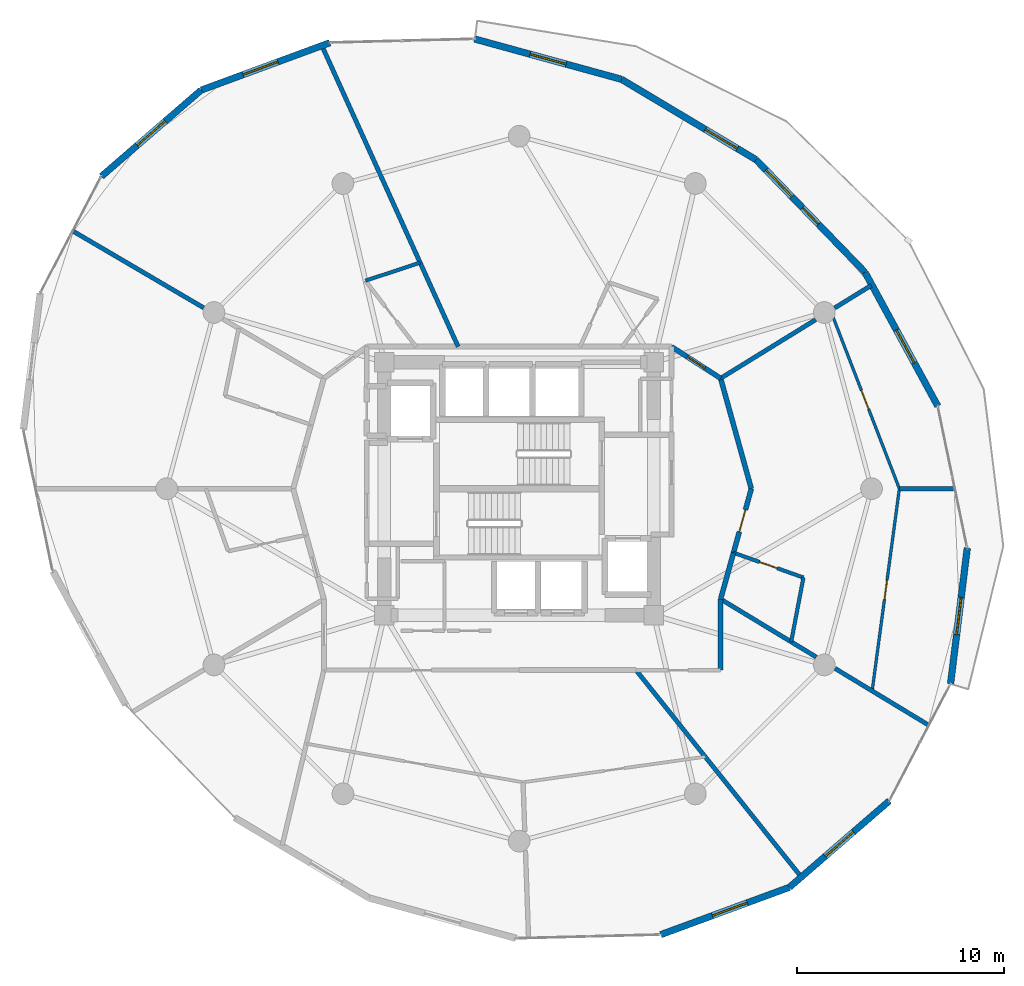
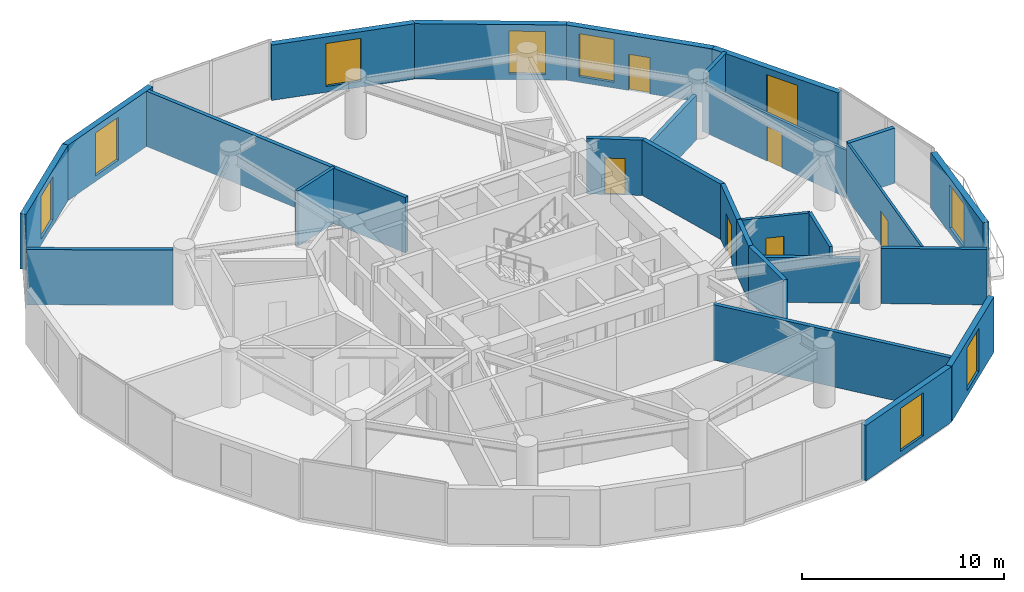
# One storey, part 22 of 25: 27 walls, 9 windows, 6 doors, 15 openings.
"""IFC4 building model written with IfcOpenShell, lengths in metres."""

import ifcopenshell
import ifcopenshell.guid

model = None  # the IFC model being written
_history = None  # IfcOwnerHistory: only IFC2X3 demands one
_inside = {}  # id of a spatial element -> (the spatial element, [elements in it])
_under = {}  # id of a project, library or spatial element -> (it, [spatial elements below it])
_declared = {}  # id of a project -> (the project, [libraries it declares])
_typed = {}  # id of a type object -> (the type object, [elements of that type])
_made_of = {}  # id of a material, layer set ... -> (it, [elements and type objects made of it])


def new_model(schema):
    """Start an empty IFC model of exactly this schema.

    Asked for "IFC4X3", IfcOpenShell would pick the latest addendum, in which some entities
    have other attributes; the version numbers below select the first issue.
    IFC2X3 requires an IfcOwnerHistory on every rooted entity: one is made here for all.
    """
    global model, _history
    if schema == "IFC4X3":
        model = ifcopenshell.file(schema_version=(4, 3, 0, 0))
    else:
        model = ifcopenshell.file(schema=schema)
    _inside.clear()
    _under.clear()
    _declared.clear()
    _typed.clear()
    _made_of.clear()
    _history = None
    if model.schema == "IFC2X3":
        org = make("IfcOrganization", Name="unknown")
        user = make(
            "IfcPersonAndOrganization",
            ThePerson=make("IfcPerson", FamilyName="unknown"),
            TheOrganization=org,
        )
        app = make(
            "IfcApplication",
            ApplicationDeveloper=org,
            Version="unknown",
            ApplicationFullName="unknown",
            ApplicationIdentifier="unknown",
        )
        _history = make(
            "IfcOwnerHistory",
            OwningUser=user,
            OwningApplication=app,
            ChangeAction="ADDED",
            CreationDate=0,
        )
    return model


def make(cls, **values):
    """One entity of the class cls with the attributes given. An attribute that is None is left unset."""
    return model.create_entity(
        cls, **{name: value for name, value in values.items() if value is not None}
    )


def rooted(cls, **values):
    """An entity with a GlobalId (a new one), such as an element, a storey or a relation."""
    return make(cls, GlobalId=ifcopenshell.guid.new(), OwnerHistory=_history, **values)


def si_unit(unit_type, name, prefix=None):
    """IfcSIUnit, for example si_unit("LENGTHUNIT", "METRE", prefix="MILLI")."""
    return make("IfcSIUnit", UnitType=unit_type, Prefix=prefix, Name=name)


def assignment(units):
    """IfcUnitAssignment: the units of a project."""
    return None if units is None else make("IfcUnitAssignment", Units=units)


def point(xyz):
    """IfcCartesianPoint."""
    return None if xyz is None else make("IfcCartesianPoint", Coordinates=xyz)


def direction(xyz):
    """IfcDirection."""
    return None if xyz is None else make("IfcDirection", DirectionRatios=xyz)


def frame(location, z_axis=None, x_axis=None):
    """IfcAxis2Placement3D, a coordinate frame: its origin and axes. An axis left out is left unset."""
    return make(
        "IfcAxis2Placement3D",
        Location=point(location),
        Axis=direction(z_axis),
        RefDirection=direction(x_axis),
    )


def frame_2d(location, x_axis=None):
    """IfcAxis2Placement2D, a coordinate frame in the plane: its origin and x axis."""
    return make(
        "IfcAxis2Placement2D", Location=point(location), RefDirection=direction(x_axis)
    )


def origin():
    """The frame at (0, 0, 0) with its axes left unset."""
    return frame((0.0, 0.0, 0.0))


def place(relative_to, where):
    """IfcLocalPlacement: puts the frame where relative to a parent placement (None: the world)."""
    return make(
        "IfcLocalPlacement", PlacementRelTo=relative_to, RelativePlacement=where
    )


def context(
    kind, dimensions, precision=None, world=None, true_north=None, identifier=None
):
    """IfcGeometricRepresentationContext, for example the 3D "Model" context."""
    return make(
        "IfcGeometricRepresentationContext",
        ContextIdentifier=identifier,
        ContextType=kind,
        CoordinateSpaceDimension=dimensions,
        Precision=precision,
        WorldCoordinateSystem=world,
        TrueNorth=true_north,
    )


def subcontext(parent, identifier, kind, view, scale=None):
    """IfcGeometricRepresentationSubContext, for example "Body" below "Model"."""
    return make(
        "IfcGeometricRepresentationSubContext",
        ContextIdentifier=identifier,
        ContextType=kind,
        ParentContext=parent,
        TargetScale=scale,
        TargetView=view,
    )


def project(units=None, contexts=None):
    """IfcProject with its units and contexts."""
    return rooted(
        "IfcProject",
        Name="project",
        RepresentationContexts=contexts,
        UnitsInContext=assignment(units),
    )


def spatial(cls, under=None, at=None, **own):
    """A site, building, storey or space (cls), placed at a placement, below another one or the project."""
    s = rooted(cls, ObjectPlacement=at, **own)
    if under is not None:
        _under.setdefault(under.id(), (under, []))[1].append(s)
    return s


def profile(cls, at=None, kind="AREA", **sizes):
    """A parametric profile (cls). Its sizes go by their IFC names, for example OverallWidth=200.0."""
    return make(cls, ProfileType=kind, Position=at, **sizes)


def rectangle(**sizes):
    """IfcRectangleProfileDef."""
    return profile("IfcRectangleProfileDef", **sizes)


def extrude(swept, where, along, depth):
    """IfcExtrudedAreaSolid: the profile swept, set in the frame where, extruded along a direction by depth."""
    return make(
        "IfcExtrudedAreaSolid",
        SweptArea=swept,
        Position=where,
        ExtrudedDirection=direction(along),
        Depth=depth,
    )


def shape(context_of_items, identifier, shape_type, items):
    """IfcShapeRepresentation: the items that make up one representation, for example the "Body"."""
    return make(
        "IfcShapeRepresentation",
        ContextOfItems=context_of_items,
        RepresentationIdentifier=identifier,
        RepresentationType=shape_type,
        Items=items,
    )


def material(Name=None, Category=None):
    """IfcMaterial."""
    return make("IfcMaterial", Name=Name, Category=Category)


def layer(
    of_material, thickness, ventilated=None, Name=None, Category=None, Priority=None
):
    """IfcMaterialLayer: one layer of a wall or slab, of a material (None: an air gap)."""
    return make(
        "IfcMaterialLayer",
        Material=of_material,
        LayerThickness=thickness,
        IsVentilated=ventilated,
        Name=Name,
        Category=Category,
        Priority=Priority,
    )


def layer_set(layers, Name=None):
    """IfcMaterialLayerSet."""
    return make("IfcMaterialLayerSet", MaterialLayers=layers, LayerSetName=Name)


def made_of(thing, what):
    """Note that an element or type object is made of a material, layer set ...; save() writes the relation."""
    if what is not None:
        _made_of.setdefault(what.id(), (what, []))[1].append(thing)
    return thing


def type_object(cls, material=None, **own):
    """A type object (cls), such as IfcWallType, which elements share."""
    return made_of(rooted(cls, **own), material)


def element(
    cls,
    number,
    at=None,
    inside=None,
    cuts=None,
    type_object=None,
    material=None,
    context=None,
    identifier="Body",
    shape_type=None,
    held_by="IfcProductDefinitionShape",
    body=None,
    shapes=None,
    **own,
):
    """One element of the class cls, such as IfcWall. Its Tag is "e" and its number.

    at: its placement. inside: the storey or other place that contains it. cuts: it is an
    opening in that element (IfcRelVoidsElement). A single representation is given by context,
    identifier, shape_type and body (its items); several are given by shapes. held_by: the class
    of the entity that holds the representations. save() writes the other relations.
    """
    e = rooted(cls, Tag="e%d" % number, ObjectPlacement=at, **own)
    if body is not None:
        shapes = [shape(context, identifier, shape_type, body)]
    if shapes is not None:
        e.Representation = make(held_by, Representations=shapes)
    if inside is not None:
        _inside.setdefault(inside.id(), (inside, []))[1].append(e)
    if cuts is not None:
        rooted(
            "IfcRelVoidsElement", RelatingBuildingElement=cuts, RelatedOpeningElement=e
        )
    if type_object is not None:
        _typed.setdefault(type_object.id(), (type_object, []))[1].append(e)
    return made_of(e, material)


def fill(opening, filler):
    """IfcRelFillsElement: the door or window that sits in an opening."""
    return rooted(
        "IfcRelFillsElement",
        RelatingOpeningElement=opening,
        RelatedBuildingElement=filler,
    )


def aggregate(whole, parts):
    """IfcRelAggregates: a whole, such as a stair, and the parts it consists of."""
    return rooted("IfcRelAggregates", RelatingObject=whole, RelatedObjects=parts)


def save(model, path):
    """Write the relations noted so far, then the file.

    IfcRelAggregates (storeys below a building ...), IfcRelContainedInSpatialStructure (elements
    in a storey), IfcRelDefinesByType, IfcRelAssociatesMaterial and IfcRelDeclares: one each for
    every whole, place, type object, material and project.
    """
    for whole, parts in _under.values():
        aggregate(whole, parts)
    for where, things in _inside.values():
        rooted(
            "IfcRelContainedInSpatialStructure",
            RelatedElements=things,
            RelatingStructure=where,
        )
    for kind, things in _typed.values():
        rooted("IfcRelDefinesByType", RelatedObjects=things, RelatingType=kind)
    for what, things in _made_of.values():
        rooted("IfcRelAssociatesMaterial", RelatedObjects=things, RelatingMaterial=what)
    for by, libraries in _declared.values():
        rooted("IfcRelDeclares", RelatingContext=by, RelatedDefinitions=libraries)
    model.write(path)


model = new_model("IFC4")

# Units and contexts
model_context = context("Model", 3, precision=1e-05, world=origin(), true_north=direction((0.0, 1.0)))
body_context = subcontext(model_context, "Body", "Model", "MODEL_VIEW")
ifc_project = project(units=[si_unit("LENGTHUNIT", "METRE"), si_unit("AREAUNIT", "SQUARE_METRE"), si_unit("VOLUMEUNIT", "CUBIC_METRE"), si_unit("PLANEANGLEUNIT", "RADIAN"), si_unit("MASSUNIT", "GRAM", prefix="KILO")], contexts=[model_context])

# Site, building, storey
site_placement = place(None, origin())
site = spatial("IfcSite", under=ifc_project, at=site_placement, CompositionType="ELEMENT")
building_placement = place(site_placement, origin())
building = spatial("IfcBuilding", under=site, at=building_placement, Name="Solvirekh Grand Hotel", CompositionType="ELEMENT")
storey_placement = place(building_placement, frame((0.0, 0.0, 127.800048828125)))
storey = spatial("IfcBuildingStorey", under=building, at=storey_placement, Name="L32", CompositionType="ELEMENT", Elevation=127.800048828125)

# Wall, opening, window
ifc_material_1 = material(Name="Precast concrete C45/55", Category="concrete")
ifc_layer_1 = layer(ifc_material_1, 0.320068359375)
ifc_layer_set_1 = layer_set([ifc_layer_1], Name="Precast concrete C45/55")
wall_type_1 = type_object("IfcWallType", Name="ExtLobbyWall_RC320", PredefinedType="SOLIDWALL", material=ifc_layer_set_1)
wall_1_placement = place(storey_placement, frame((21.617919921875, -2.85791015625, 0.0), z_axis=(0.0, 0.0, 1.0), x_axis=(-0.122003589953, -0.992529659022, 0.0)))
wall_1 = element("IfcWall", 1, at=wall_1_placement, inside=storey, type_object=wall_type_1, Name="L32 exterior structural wall chord 2", PredefinedType="SOLIDWALL", context=body_context, shape_type="SweptSolid", body=[
    extrude(rectangle(XDim=6.613525390625, YDim=0.320068359375, at=frame_2d((3.306640625, 0.0))), origin(), (0.0, 0.0, 1.0), 3.349853515625),
])
opening_1_placement = place(wall_1_placement, frame((2.406982421875, 0.0, 0.35009765625)))
opening_1 = element("IfcOpeningElement", 2, at=opening_1_placement, cuts=wall_1, Name="Opening W02", PredefinedType="OPENING", context=body_context, shape_type="SweptSolid", body=[
    extrude(rectangle(XDim=1.800048828125, YDim=2.60009765625, at=frame_2d((0.89990234375, 1.300048828125))), frame((0.0, 0.169921875, 0.0), z_axis=(0.0, -1.0, 0.0), x_axis=(1.0, 0.0, 0.0)), (0.0, 0.0, 1.0), 0.340087890625),
])
ifc_material_2 = material(Name="Low-E Tinted Bronze Laminated Glass", Category="aluminium")
window_type = type_object("IfcWindowType", Name="Win_LobbyExt_1800X2600", PartitioningType="SINGLE_PANEL", PredefinedType="WINDOW", material=ifc_material_2)
window_1_placement = place(opening_1_placement, origin())
window_1 = element("IfcWindow", 3, at=window_1_placement, inside=storey, type_object=window_type, Name="L32 panoramic bronze-framed window 2", OverallHeight=2.60009765625, OverallWidth=1.800048828125, PartitioningType="SINGLE_PANEL", PredefinedType="WINDOW", context=body_context, shape_type="SweptSolid", body=[
    extrude(rectangle(XDim=1.800048828125, YDim=2.60009765625, at=frame_2d((0.89990234375, 1.300048828125))), frame((0.0, 0.030029296875, 0.0), z_axis=(0.0, -1.0, 0.0), x_axis=(1.0, 0.0, 0.0)), (0.0, 0.0, 1.0), 0.06005859375),
])
fill(opening_1, window_1)

wall_2_placement = place(storey_placement, frame((16.68505859375, 10.43798828125, 0.0), z_axis=(0.0, 0.0, 1.0), x_axis=(0.478034683055, -0.878340959876, 0.0)))
wall_2 = element("IfcWall", 4, at=wall_2_placement, inside=storey, type_object=wall_type_1, Name="L32 exterior structural wall chord 4", PredefinedType="SOLIDWALL", context=body_context, shape_type="SweptSolid", body=[
    extrude(rectangle(XDim=7.3466796875, YDim=0.320068359375, at=frame_2d((3.67333984375, 0.0))), origin(), (0.0, 0.0, 1.0), 3.349853515625),
])
opening_2_placement = place(wall_2_placement, frame((3.172119140625, 0.0, 0.35009765625)))
opening_2 = element("IfcOpeningElement", 5, at=opening_2_placement, cuts=wall_2, Name="Opening W02", PredefinedType="OPENING", context=body_context, shape_type="SweptSolid", body=[
    extrude(rectangle(XDim=1.800048828125, YDim=2.60009765625, at=frame_2d((0.89990234375, 1.300048828125))), frame((0.0, 0.169921875, 0.0), z_axis=(0.0, -1.0, 0.0), x_axis=(1.0, 0.0, 0.0)), (0.0, 0.0, 1.0), 0.340087890625),
])
window_2_placement = place(opening_2_placement, origin())
window_2 = element("IfcWindow", 6, at=window_2_placement, inside=storey, type_object=window_type, Name="L32 panoramic bronze-framed window 4", OverallHeight=2.60009765625, OverallWidth=1.800048828125, PartitioningType="SINGLE_PANEL", PredefinedType="WINDOW", context=body_context, shape_type="SweptSolid", body=[
    extrude(rectangle(XDim=1.800048828125, YDim=2.60009765625, at=frame_2d((0.89990234375, 1.300048828125))), frame((0.0, 0.030029296875, 0.0), z_axis=(0.0, -1.0, 0.0), x_axis=(1.0, 0.0, 0.0)), (0.0, 0.0, 1.0), 0.06005859375),
])
fill(opening_2, window_2)

# Wall, openings, door, window
wall_3_placement = place(storey_placement, frame((11.427978515625, 15.8701171875, 0.0), z_axis=(0.0, 0.0, 1.0), x_axis=(0.695433800966, -0.718590167254, 0.0)))
wall_3 = element("IfcWall", 7, at=wall_3_placement, inside=storey, type_object=wall_type_1, Name="L32 exterior structural wall chord 5", PredefinedType="SOLIDWALL", context=body_context, shape_type="SweptSolid", body=[
    extrude(rectangle(XDim=7.559326171875, YDim=0.320068359375, at=frame_2d((3.77978515625, 0.0))), origin(), (0.0, 0.0, 1.0), 3.349853515625),
])
opening_3_placement = place(wall_3_placement, frame((0.68994140625, 0.0, 0.35009765625)))
opening_3 = element("IfcOpeningElement", 8, at=opening_3_placement, cuts=wall_3, Name="Opening W02", PredefinedType="OPENING", context=body_context, shape_type="SweptSolid", body=[
    extrude(rectangle(XDim=1.800048828125, YDim=2.60009765625, at=frame_2d((0.89990234375, 1.300048828125))), frame((0.0, 0.169921875, 0.0), z_axis=(0.0, -1.0, 0.0), x_axis=(1.0, 0.0, 0.0)), (0.0, 0.0, 1.0), 0.340087890625),
])
opening_4_placement = place(wall_3_placement, frame((3.22998046875, 0.0, 0.0)))
opening_4 = element("IfcOpeningElement", 9, at=opening_4_placement, cuts=wall_3, Name="Opening D03", PredefinedType="OPENING", context=body_context, shape_type="SweptSolid", body=[
    extrude(rectangle(XDim=1.10009765625, YDim=2.199951171875, at=frame_2d((0.550048828125, 1.10009765625))), frame((0.0, 0.169921875, 0.0), z_axis=(0.0, -1.0, 0.0), x_axis=(1.0, 0.0, 0.0)), (0.0, 0.0, 1.0), 0.340087890625),
])
ifc_material_3 = material(Name="Anodized Bronze Aluminium 6063-T6", Category="aluminium")
door_type_1 = type_object("IfcDoorType", Name="Door_ExtBalcony_1100X2200", OperationType="NOTDEFINED", PredefinedType="DOOR", material=ifc_material_3)
door_1_placement = place(opening_4_placement, origin())
door_1 = element("IfcDoor", 10, at=door_1_placement, inside=storey, type_object=door_type_1, Name="L32 Crescent balcony glazed door (5)", OperationType="SINGLE_SWING_LEFT", OverallHeight=2.199951171875, OverallWidth=1.10009765625, PredefinedType="DOOR", context=body_context, shape_type="SweptSolid", body=[
    extrude(rectangle(XDim=1.10009765625, YDim=2.199951171875, at=frame_2d((0.550048828125, 1.10009765625))), frame((0.0, 0.02490234375, 0.0), z_axis=(0.0, -1.0, 0.0), x_axis=(1.0, 0.0, 0.0)), (0.0, 0.0, 1.0), 0.050048828125),
])
fill(opening_4, door_1)
window_3_placement = place(opening_3_placement, origin())
window_3 = element("IfcWindow", 11, at=window_3_placement, inside=storey, type_object=window_type, Name="L32 exterior side window 5", OverallHeight=2.60009765625, OverallWidth=1.800048828125, PartitioningType="SINGLE_PANEL", PredefinedType="WINDOW", context=body_context, shape_type="SweptSolid", body=[
    extrude(rectangle(XDim=1.800048828125, YDim=2.60009765625, at=frame_2d((0.89990234375, 1.300048828125))), frame((0.0, 0.030029296875, 0.0), z_axis=(0.0, -1.0, 0.0), x_axis=(1.0, 0.0, 0.0)), (0.0, 0.0, 1.0), 0.06005859375),
])
fill(opening_3, window_3)

# Wall, opening, window
wall_4_placement = place(storey_placement, frame((4.93994140625, 19.748046875, 0.0), z_axis=(0.0, 0.0, 1.0), x_axis=(0.858360940194, -0.51304629065, 0.0)))
wall_4 = element("IfcWall", 12, at=wall_4_placement, inside=storey, type_object=wall_type_1, Name="L32 exterior structural wall chord 6", PredefinedType="SOLIDWALL", context=body_context, shape_type="SweptSolid", body=[
    extrude(rectangle(XDim=7.55859375, YDim=0.320068359375, at=frame_2d((3.779296875, 0.0))), origin(), (0.0, 0.0, 1.0), 3.349853515625),
])
opening_5_placement = place(wall_4_placement, frame((4.7041015625, 0.0, 0.35009765625)))
opening_5 = element("IfcOpeningElement", 13, at=opening_5_placement, cuts=wall_4, Name="Opening W02", PredefinedType="OPENING", context=body_context, shape_type="SweptSolid", body=[
    extrude(rectangle(XDim=1.800048828125, YDim=2.60009765625, at=frame_2d((0.89990234375, 1.300048828125))), frame((0.0, 0.169921875, 0.0), z_axis=(0.0, -1.0, 0.0), x_axis=(1.0, 0.0, 0.0)), (0.0, 0.0, 1.0), 0.340087890625),
])
window_4_placement = place(opening_5_placement, origin())
window_4 = element("IfcWindow", 14, at=window_4_placement, inside=storey, type_object=window_type, Name="L32 panoramic bronze-framed window 6", OverallHeight=2.60009765625, OverallWidth=1.800048828125, PartitioningType="SINGLE_PANEL", PredefinedType="WINDOW", context=body_context, shape_type="SweptSolid", body=[
    extrude(rectangle(XDim=1.800048828125, YDim=2.60009765625, at=frame_2d((0.89990234375, 1.300048828125))), frame((0.0, 0.030029296875, 0.0), z_axis=(0.0, -1.0, 0.0), x_axis=(1.0, 0.0, 0.0)), (0.0, 0.0, 1.0), 0.06005859375),
])
fill(opening_5, window_4)

wall_5_placement = place(storey_placement, frame((-2.14501953125, 21.693115234375, 0.0), z_axis=(0.0, 0.0, 1.0), x_axis=(0.964319993606, -0.264739400036, 0.0)))
wall_5 = element("IfcWall", 15, at=wall_5_placement, inside=storey, type_object=wall_type_1, Name="L32 exterior structural wall chord 7", PredefinedType="SOLIDWALL", context=body_context, shape_type="SweptSolid", body=[
    extrude(rectangle(XDim=7.34716796875, YDim=0.320068359375, at=frame_2d((3.673583984375, 0.0))), origin(), (0.0, 0.0, 1.0), 3.349853515625),
])
opening_6_placement = place(wall_5_placement, frame((2.77392578125, 0.0, 0.35009765625)))
opening_6 = element("IfcOpeningElement", 16, at=opening_6_placement, cuts=wall_5, Name="Opening W02", PredefinedType="OPENING", context=body_context, shape_type="SweptSolid", body=[
    extrude(rectangle(XDim=1.800048828125, YDim=2.60009765625, at=frame_2d((0.89990234375, 1.300048828125))), frame((0.0, 0.169921875, 0.0), z_axis=(0.0, -1.0, 0.0), x_axis=(1.0, 0.0, 0.0)), (0.0, 0.0, 1.0), 0.340087890625),
])
window_5_placement = place(opening_6_placement, origin())
window_5 = element("IfcWindow", 17, at=window_5_placement, inside=storey, type_object=window_type, Name="L32 panoramic bronze-framed window 7", OverallHeight=2.60009765625, OverallWidth=1.800048828125, PartitioningType="SINGLE_PANEL", PredefinedType="WINDOW", context=body_context, shape_type="SweptSolid", body=[
    extrude(rectangle(XDim=1.800048828125, YDim=2.60009765625, at=frame_2d((0.89990234375, 1.300048828125))), frame((0.0, 0.030029296875, 0.0), z_axis=(0.0, -1.0, 0.0), x_axis=(1.0, 0.0, 0.0)), (0.0, 0.0, 1.0), 0.06005859375),
])
fill(opening_6, window_5)

wall_6_placement = place(storey_placement, frame((-15.337890625, 19.22998046875, 0.0), z_axis=(0.0, 0.0, 1.0), x_axis=(0.938461564884, 0.345383686986, 0.0)))
wall_6 = element("IfcWall", 18, at=wall_6_placement, inside=storey, type_object=wall_type_1, Name="L32 exterior structural wall chord 9", PredefinedType="SOLIDWALL", context=body_context, shape_type="SweptSolid", body=[
    extrude(rectangle(XDim=6.61279296875, YDim=0.320068359375, at=frame_2d((3.306396484375, 0.0))), origin(), (0.0, 0.0, 1.0), 3.349853515625),
])
opening_7_placement = place(wall_6_placement, frame((2.154052734375, 0.0, 0.35009765625)))
opening_7 = element("IfcOpeningElement", 19, at=opening_7_placement, cuts=wall_6, Name="Opening W02", PredefinedType="OPENING", context=body_context, shape_type="SweptSolid", body=[
    extrude(rectangle(XDim=1.800048828125, YDim=2.60009765625, at=frame_2d((0.89990234375, 1.300048828125))), frame((0.0, 0.169921875, 0.0), z_axis=(0.0, -1.0, 0.0), x_axis=(1.0, 0.0, 0.0)), (0.0, 0.0, 1.0), 0.340087890625),
])
window_6_placement = place(opening_7_placement, origin())
window_6 = element("IfcWindow", 20, at=window_6_placement, inside=storey, type_object=window_type, Name="L32 panoramic bronze-framed window 9", OverallHeight=2.60009765625, OverallWidth=1.800048828125, PartitioningType="SINGLE_PANEL", PredefinedType="WINDOW", context=body_context, shape_type="SweptSolid", body=[
    extrude(rectangle(XDim=1.800048828125, YDim=2.60009765625, at=frame_2d((0.89990234375, 1.300048828125))), frame((0.0, 0.030029296875, 0.0), z_axis=(0.0, -1.0, 0.0), x_axis=(1.0, 0.0, 0.0)), (0.0, 0.0, 1.0), 0.06005859375),
])
fill(opening_7, window_6)

wall_7_placement = place(storey_placement, frame((-20.155029296875, 15.06298828125, 0.0), z_axis=(0.0, 0.0, 1.0), x_axis=(0.756299610366, 0.654225419377, 0.0)))
wall_7 = element("IfcWall", 21, at=wall_7_placement, inside=storey, type_object=wall_type_1, Name="L32 exterior structural wall chord 10", PredefinedType="SOLIDWALL", context=body_context, shape_type="SweptSolid", body=[
    extrude(rectangle(XDim=6.369384765625, YDim=0.320068359375, at=frame_2d((3.1845703125, 0.0))), origin(), (0.0, 0.0, 1.0), 3.349853515625),
])
opening_8_placement = place(wall_7_placement, frame((2.284912109375, 0.0, 0.35009765625)))
opening_8 = element("IfcOpeningElement", 22, at=opening_8_placement, cuts=wall_7, Name="Opening W02", PredefinedType="OPENING", context=body_context, shape_type="SweptSolid", body=[
    extrude(rectangle(XDim=1.800048828125, YDim=2.60009765625, at=frame_2d((0.89990234375, 1.300048828125))), frame((0.0, 0.169921875, 0.0), z_axis=(0.0, -1.0, 0.0), x_axis=(1.0, 0.0, 0.0)), (0.0, 0.0, 1.0), 0.340087890625),
])
window_7_placement = place(opening_8_placement, origin())
window_7 = element("IfcWindow", 23, at=window_7_placement, inside=storey, type_object=window_type, Name="L32 panoramic bronze-framed window 10", OverallHeight=2.60009765625, OverallWidth=1.800048828125, PartitioningType="SINGLE_PANEL", PredefinedType="WINDOW", context=body_context, shape_type="SweptSolid", body=[
    extrude(rectangle(XDim=1.800048828125, YDim=2.60009765625, at=frame_2d((0.89990234375, 1.300048828125))), frame((0.0, 0.030029296875, 0.0), z_axis=(0.0, -1.0, 0.0), x_axis=(1.0, 0.0, 0.0)), (0.0, 0.0, 1.0), 0.06005859375),
])
fill(opening_8, window_7)

wall_8_placement = place(storey_placement, frame((13.0380859375, -19.22998046875, 0.0), z_axis=(0.0, 0.0, 1.0), x_axis=(-0.938465968801, -0.345371720619, 0.0)))
wall_8 = element("IfcWall", 24, at=wall_8_placement, inside=storey, type_object=wall_type_1, Name="L32 exterior structural wall chord 19", PredefinedType="SOLIDWALL", context=body_context, shape_type="SweptSolid", body=[
    extrude(rectangle(XDim=6.613037109375, YDim=0.320068359375, at=frame_2d((3.306640625, 0.0))), origin(), (0.0, 0.0, 1.0), 3.349853515625),
])
opening_9_placement = place(wall_8_placement, frame((2.162109375, 0.0, 0.35009765625)))
opening_9 = element("IfcOpeningElement", 25, at=opening_9_placement, cuts=wall_8, Name="Opening W02", PredefinedType="OPENING", context=body_context, shape_type="SweptSolid", body=[
    extrude(rectangle(XDim=1.800048828125, YDim=2.60009765625, at=frame_2d((0.89990234375, 1.300048828125))), frame((0.0, 0.169921875, 0.0), z_axis=(0.0, -1.0, 0.0), x_axis=(1.0, 0.0, 0.0)), (0.0, 0.0, 1.0), 0.340087890625),
])
window_8_placement = place(opening_9_placement, origin())
window_8 = element("IfcWindow", 26, at=window_8_placement, inside=storey, type_object=window_type, Name="L32 panoramic bronze-framed window 19", OverallHeight=2.60009765625, OverallWidth=1.800048828125, PartitioningType="SINGLE_PANEL", PredefinedType="WINDOW", context=body_context, shape_type="SweptSolid", body=[
    extrude(rectangle(XDim=1.800048828125, YDim=2.60009765625, at=frame_2d((0.89990234375, 1.300048828125))), frame((0.0, 0.030029296875, 0.0), z_axis=(0.0, -1.0, 0.0), x_axis=(1.0, 0.0, 0.0)), (0.0, 0.0, 1.0), 0.06005859375),
])
fill(opening_9, window_8)

wall_9_placement = place(storey_placement, frame((17.85498046875, -15.06298828125, 0.0), z_axis=(0.0, 0.0, 1.0), x_axis=(-0.75628320377, -0.654244385299, 0.0)))
wall_9 = element("IfcWall", 27, at=wall_9_placement, inside=storey, type_object=wall_type_1, Name="L32 exterior structural wall chord 20", PredefinedType="SOLIDWALL", context=body_context, shape_type="SweptSolid", body=[
    extrude(rectangle(XDim=6.369140625, YDim=0.320068359375, at=frame_2d((3.1845703125, 0.0))), origin(), (0.0, 0.0, 1.0), 3.349853515625),
])
opening_10_placement = place(wall_9_placement, frame((2.285888671875, 0.0, 0.35009765625)))
opening_10 = element("IfcOpeningElement", 28, at=opening_10_placement, cuts=wall_9, Name="Opening W02", PredefinedType="OPENING", context=body_context, shape_type="SweptSolid", body=[
    extrude(rectangle(XDim=1.800048828125, YDim=2.60009765625, at=frame_2d((0.89990234375, 1.300048828125))), frame((0.0, 0.169921875, 0.0), z_axis=(0.0, -1.0, 0.0), x_axis=(1.0, 0.0, 0.0)), (0.0, 0.0, 1.0), 0.340087890625),
])
window_9_placement = place(opening_10_placement, origin())
window_9 = element("IfcWindow", 29, at=window_9_placement, inside=storey, type_object=window_type, Name="L32 panoramic bronze-framed window 20", OverallHeight=2.60009765625, OverallWidth=1.800048828125, PartitioningType="SINGLE_PANEL", PredefinedType="WINDOW", context=body_context, shape_type="SweptSolid", body=[
    extrude(rectangle(XDim=1.800048828125, YDim=2.60009765625, at=frame_2d((0.89990234375, 1.300048828125))), frame((0.0, 0.030029296875, 0.0), z_axis=(0.0, -1.0, 0.0), x_axis=(1.0, 0.0, 0.0)), (0.0, 0.0, 1.0), 0.06005859375),
])
fill(opening_10, window_9)

# Wall, opening, door
ifc_material_4 = material(Name="Acoustic Gypsum Partition Assembly")
ifc_layer_2 = layer(ifc_material_4, 0.239990234375)
ifc_layer_set_2 = layer_set([ifc_layer_2], Name="Acoustic Gypsum Partition Assembly")
wall_type_2 = type_object("IfcWallType", Name="Part_Corridor_240", PredefinedType="PARTITIONING", material=ifc_layer_set_2)
wall_10_placement = place(storey_placement, frame((7.35009765625, 6.85009765625, 0.0), z_axis=(0.0, 0.0, 1.0), x_axis=(0.840910978735, -0.541173471119, 0.0)))
wall_10 = element("IfcWall", 30, at=wall_10_placement, inside=storey, type_object=wall_type_2, Name="L32 Deluxe Guestroom 3401 entrance wall", PredefinedType="PARTITIONING", context=body_context, shape_type="SweptSolid", body=[
    extrude(rectangle(XDim=2.818115234375, YDim=0.239990234375, at=frame_2d((1.4091796875, 0.0))), origin(), (0.0, 0.0, 1.0), 3.349853515625),
])
opening_11_placement = place(wall_10_placement, frame((0.908935546875, 0.0, 0.0)))
opening_11 = element("IfcOpeningElement", 31, at=opening_11_placement, cuts=wall_10, Name="Opening D07", PredefinedType="OPENING", context=body_context, shape_type="SweptSolid", body=[
    extrude(rectangle(XDim=1.0, YDim=2.199951171875, at=frame_2d((0.5, 1.10009765625))), frame((0.0, 0.1298828125, 0.0), z_axis=(0.0, -1.0, 0.0), x_axis=(1.0, 0.0, 0.0)), (0.0, 0.0, 1.0), 0.260009765625),
])
ifc_material_5 = material(Name="Fire-Rated Steel Door Assembly", Category="steel")
door_type_2 = type_object("IfcDoorType", Name="Door_GuestEntry_1000X2200", OperationType="NOTDEFINED", PredefinedType="DOOR", material=ifc_material_5)
door_2_placement = place(opening_11_placement, origin())
door_2 = element("IfcDoor", 32, at=door_2_placement, inside=storey, type_object=door_type_2, Name="L32 Deluxe Guestroom 3401 entrance door", OperationType="SINGLE_SWING_RIGHT", OverallHeight=2.199951171875, OverallWidth=1.0, PredefinedType="DOOR", context=body_context, shape_type="SweptSolid", body=[
    extrude(rectangle(XDim=1.0, YDim=2.199951171875, at=frame_2d((0.5, 1.10009765625))), frame((0.0, 0.02490234375, 0.0), z_axis=(0.0, -1.0, 0.0), x_axis=(1.0, 0.0, 0.0)), (0.0, 0.0, 1.0), 0.050048828125),
])
fill(opening_11, door_2)

# Walls
wall_11_placement = place(storey_placement, frame((9.719970703125, -5.324951171875, 0.0), z_axis=(0.0, 0.0, 1.0), x_axis=(0.268045342481, 0.963406297662, 0.0)))
element("IfcWall", 33, at=wall_11_placement, inside=storey, type_object=wall_type_2, Name="L32 En-suite Bathroom 3405 corridor backing wall", PredefinedType="PARTITIONING", context=body_context, shape_type="SweptSolid", body=[
    extrude(rectangle(XDim=2.32080078125, YDim=0.239990234375, at=frame_2d((1.160400390625, 0.0))), origin(), (0.0, 0.0, 1.0), 3.349853515625),
])
wall_12_placement = place(storey_placement, frame((11.199951171875, 0.0, 0.0), z_axis=(0.0, 0.0, 1.0), x_axis=(-0.267782838254, 0.963479294815, 0.0)))
element("IfcWall", 34, at=wall_12_placement, inside=storey, type_object=wall_type_2, Name="L32 Executive Suite 3405 Living Room corridor wall 1", PredefinedType="PARTITIONING", context=body_context, shape_type="SweptSolid", body=[
    extrude(rectangle(XDim=5.52685546875, YDim=0.239990234375, at=frame_2d((2.763427734375, 0.0))), origin(), (0.0, 0.0, 1.0), 3.349853515625),
])

# Wall, opening, door
wall_13_placement = place(storey_placement, frame((10.342041015625, -3.089111328125, 0.0), z_axis=(0.0, 0.0, 1.0), x_axis=(0.267592805492, 0.963532091032, 0.0)))
wall_13 = element("IfcWall", 35, at=wall_13_placement, inside=storey, type_object=wall_type_2, Name="L32 Executive Suite 3405 Living Room entrance wall", PredefinedType="PARTITIONING", context=body_context, shape_type="SweptSolid", body=[
    extrude(rectangle(XDim=3.2060546875, YDim=0.239990234375, at=frame_2d((1.60302734375, 0.0))), origin(), (0.0, 0.0, 1.0), 3.349853515625),
])
opening_12_placement = place(wall_13_placement, frame((1.052978515625, 0.0, 0.0)))
opening_12 = element("IfcOpeningElement", 36, at=opening_12_placement, cuts=wall_13, Name="Opening D08", PredefinedType="OPENING", context=body_context, shape_type="SweptSolid", body=[
    extrude(rectangle(XDim=1.10009765625, YDim=2.300048828125, at=frame_2d((0.550048828125, 1.14990234375))), frame((0.0, 0.1298828125, 0.0), z_axis=(0.0, -1.0, 0.0), x_axis=(1.0, 0.0, 0.0)), (0.0, 0.0, 1.0), 0.260009765625),
])
door_type_3 = type_object("IfcDoorType", Name="Door_SuiteEntry_1100X2300", OperationType="NOTDEFINED", PredefinedType="DOOR", material=ifc_material_5)
door_3_placement = place(opening_12_placement, origin())
door_3 = element("IfcDoor", 37, at=door_3_placement, inside=storey, type_object=door_type_3, Name="L32 Executive Suite 3405 Living Room entrance door", OperationType="SINGLE_SWING_LEFT", OverallHeight=2.300048828125, OverallWidth=1.10009765625, PredefinedType="DOOR", context=body_context, shape_type="SweptSolid", body=[
    extrude(rectangle(XDim=1.10009765625, YDim=2.300048828125, at=frame_2d((0.550048828125, 1.14990234375))), frame((0.0, 0.02490234375, 0.0), z_axis=(0.0, -1.0, 0.0), x_axis=(1.0, 0.0, 0.0)), (0.0, 0.0, 1.0), 0.050048828125),
])
fill(opening_12, door_3)

# Wall
wall_14_placement = place(storey_placement, frame((9.719970703125, -8.75, 0.0), z_axis=(0.0, 0.0, 1.0), x_axis=(0.0, 1.0, 0.0)))
element("IfcWall", 38, at=wall_14_placement, inside=storey, type_object=wall_type_2, Name="L32 L32 Butler Valet & Linen Steward Room corridor wall 1", PredefinedType="PARTITIONING", context=body_context, shape_type="SweptSolid", body=[
    extrude(rectangle(XDim=3.425048828125, YDim=0.239990234375, at=frame_2d((1.71240234375, 0.0))), origin(), (0.0, 0.0, 1.0), 3.349853515625),
])

# Wall, opening, door
ifc_layer_3 = layer(ifc_material_4, 0.135009765625)
ifc_layer_set_3 = layer_set([ifc_layer_3], Name="Acoustic Gypsum Partition Assembly")
wall_type_3 = type_object("IfcWallType", Name="Part_RoomInt_135", PredefinedType="PARTITIONING", material=ifc_layer_set_3)
wall_15_placement = place(storey_placement, frame((17.029052734375, -9.7548828125, 0.0), z_axis=(0.0, 0.0, 1.0), x_axis=(0.133492593889, 0.991049810745, 0.0)))
wall_15 = element("IfcWall", 39, at=wall_15_placement, inside=storey, type_object=wall_type_3, Name="L32 Executive Suite 3405 Living Room bedroom screen wall", PredefinedType="PARTITIONING", context=body_context, shape_type="SweptSolid", body=[
    extrude(rectangle(XDim=9.843017578125, YDim=0.135009765625, at=frame_2d((4.92138671875, 0.0))), origin(), (0.0, 0.0, 1.0), 3.349853515625),
])
opening_13_placement = place(wall_15_placement, frame((4.447021484375, 0.0, 0.0)))
opening_13 = element("IfcOpeningElement", 40, at=opening_13_placement, cuts=wall_15, Name="Opening D10", PredefinedType="OPENING", context=body_context, shape_type="SweptSolid", body=[
    extrude(rectangle(XDim=0.949951171875, YDim=2.10009765625, at=frame_2d((0.47509765625, 1.050048828125))), frame((0.0, 0.07763671875, 0.0), z_axis=(0.0, -1.0, 0.0), x_axis=(1.0, 0.0, 0.0)), (0.0, 0.0, 1.0), 0.155029296875),
])
door_type_4 = type_object("IfcDoorType", Name="Door_RoomInt_950X2100", OperationType="NOTDEFINED", PredefinedType="DOOR", material=ifc_material_3)
door_4_placement = place(opening_13_placement, origin())
door_4 = element("IfcDoor", 41, at=door_4_placement, inside=storey, type_object=door_type_4, Name="L32 Executive Suite 3405 Living Room master bedroom door", OperationType="SINGLE_SWING_RIGHT", OverallHeight=2.10009765625, OverallWidth=0.949951171875, PredefinedType="DOOR", context=body_context, shape_type="SweptSolid", body=[
    extrude(rectangle(XDim=0.949951171875, YDim=2.10009765625, at=frame_2d((0.47509765625, 1.050048828125))), frame((0.0, 0.02490234375, 0.0), z_axis=(0.0, -1.0, 0.0), x_axis=(1.0, 0.0, 0.0)), (0.0, 0.0, 1.0), 0.050048828125),
])
fill(opening_13, door_4)

wall_16_placement = place(storey_placement, frame((18.343017578125, 0.0, 0.0), z_axis=(0.0, 0.0, 1.0), x_axis=(-0.360296062326, 0.932838007091, 0.0)))
wall_16 = element("IfcWall", 42, at=wall_16_placement, inside=storey, type_object=wall_type_3, Name="L32 Executive Suite 3405 Panorama Suite Study bedroom screen wall", PredefinedType="PARTITIONING", context=body_context, shape_type="SweptSolid", body=[
    extrude(rectangle(XDim=9.21484375, YDim=0.135009765625, at=frame_2d((4.607421875, 0.0))), origin(), (0.0, 0.0, 1.0), 2.87890625),
])
opening_14_placement = place(wall_16_placement, frame((4.132080078125, 0.0, 0.0)))
opening_14 = element("IfcOpeningElement", 43, at=opening_14_placement, cuts=wall_16, Name="Opening D10", PredefinedType="OPENING", context=body_context, shape_type="SweptSolid", body=[
    extrude(rectangle(XDim=0.949951171875, YDim=2.10009765625, at=frame_2d((0.47509765625, 1.050048828125))), frame((0.0, 0.07763671875, 0.0), z_axis=(0.0, -1.0, 0.0), x_axis=(1.0, 0.0, 0.0)), (0.0, 0.0, 1.0), 0.155029296875),
])
door_5_placement = place(opening_14_placement, origin())
door_5 = element("IfcDoor", 44, at=door_5_placement, inside=storey, type_object=door_type_4, Name="L32 Executive Suite 3405 Panorama Suite Study master bedroom door", OperationType="SINGLE_SWING_LEFT", OverallHeight=2.10009765625, OverallWidth=0.949951171875, PredefinedType="DOOR", context=body_context, shape_type="SweptSolid", body=[
    extrude(rectangle(XDim=0.949951171875, YDim=2.10009765625, at=frame_2d((0.47509765625, 1.050048828125))), frame((0.0, 0.02490234375, 0.0), z_axis=(0.0, -1.0, 0.0), x_axis=(1.0, 0.0, 0.0)), (0.0, 0.0, 1.0), 0.050048828125),
])
fill(opening_14, door_5)

# Walls
ifc_layer_4 = layer(ifc_material_4, 0.2099609375)
ifc_layer_set_4 = layer_set([ifc_layer_4], Name="Acoustic Gypsum Partition Assembly")
wall_type_4 = type_object("IfcWallType", Name="Part_SuiteDemise_210", PredefinedType="PARTITIONING", material=ifc_layer_set_4)
wall_17_placement = place(storey_placement, frame((9.719970703125, 5.324951171875, 0.0), z_axis=(0.0, 0.0, 1.0), x_axis=(0.851091187082, 0.525017896144, 0.0)))
element("IfcWall", 45, at=wall_17_placement, inside=storey, type_object=wall_type_4, Name="L32 suite radial wall 2 (A)", PredefinedType="PARTITIONING", context=body_context, shape_type="SweptSolid", body=[
    extrude(rectangle(XDim=5.384765625, YDim=0.2099609375, at=frame_2d((2.6923828125, 0.0))), origin(), (0.0, 0.0, 1.0), 2.717041015625),
])
wall_18_placement = place(storey_placement, frame((15.220947265625, 8.718994140625, 0.0), z_axis=(0.0, 0.0, 1.0), x_axis=(0.851220898393, 0.52480756677, 0.0)))
element("IfcWall", 46, at=wall_18_placement, inside=storey, type_object=wall_type_4, Name="L32 suite radial wall 2 (B)", PredefinedType="PARTITIONING", context=body_context, shape_type="SweptSolid", body=[
    extrude(rectangle(XDim=2.071044921875, YDim=0.2099609375, at=frame_2d((1.03564453125, 0.0))), origin(), (0.0, 0.0, 1.0), 3.349853515625),
])
wall_19_placement = place(storey_placement, frame((-15.218017578125, 8.72705078125, 0.0), z_axis=(0.0, 0.0, 1.0), x_axis=(-0.862512809527, 0.506035229409, 0.0)))
element("IfcWall", 47, at=wall_19_placement, inside=storey, type_object=wall_type_4, Name="L32 suite radial wall 6 (B)", PredefinedType="PARTITIONING", context=body_context, shape_type="SweptSolid", body=[
    extrude(rectangle(XDim=7.2822265625, YDim=0.2099609375, at=frame_2d((3.64111328125, 0.0))), origin(), (0.0, 0.0, 1.0), 3.349853515625),
])
wall_20_placement = place(storey_placement, frame((9.719970703125, -5.324951171875, 0.0), z_axis=(0.0, 0.0, 1.0), x_axis=(0.855199655735, -0.518298706183, 0.0)))
element("IfcWall", 48, at=wall_20_placement, inside=storey, type_object=wall_type_4, Name="L32 suite radial wall 12 (A)", PredefinedType="PARTITIONING", context=body_context, shape_type="SweptSolid", body=[
    extrude(rectangle(XDim=5.39306640625, YDim=0.2099609375, at=frame_2d((2.696533203125, 0.0))), origin(), (0.0, 0.0, 1.0), 2.717041015625),
])
wall_21_placement = place(storey_placement, frame((15.239990234375, -8.669921875, 0.0), z_axis=(0.0, 0.0, 1.0), x_axis=(0.855184099406, -0.51832437346, 0.0)))
element("IfcWall", 49, at=wall_21_placement, inside=storey, type_object=wall_type_4, Name="L32 suite radial wall 12 (B)", PredefinedType="PARTITIONING", context=body_context, shape_type="SweptSolid", body=[
    extrude(rectangle(XDim=5.253662109375, YDim=0.2099609375, at=frame_2d((2.626953125, 0.0))), origin(), (0.0, 0.0, 1.0), 3.349853515625),
])
wall_22_placement = place(storey_placement, frame((-2.93994140625, 6.85009765625, 0.0), z_axis=(0.0, 0.0, 1.0), x_axis=(-0.412479187099, 0.910967024765, 0.0)))
element("IfcWall", 50, at=wall_22_placement, inside=storey, type_object=wall_type_4, Name="L32 Panorama Suite 3401 North Observatory Study dividing partition 1", PredefinedType="PARTITIONING", context=body_context, shape_type="SweptSolid", body=[
    extrude(rectangle(XDim=15.901611328125, YDim=0.2099609375, at=frame_2d((7.95068359375, 0.0))), origin(), (0.0, 0.0, 1.0), 3.349853515625),
])
wall_23_placement = place(storey_placement, frame((18.343017578125, 0.0, 0.0), z_axis=(0.0, 0.0, 1.0), x_axis=(1.0, 0.0, 0.0)))
element("IfcWall", 51, at=wall_23_placement, inside=storey, type_object=wall_type_4, Name="L32 Executive Suite 3405 Living Room dividing partition 1", PredefinedType="PARTITIONING", context=body_context, shape_type="SweptSolid", body=[
    extrude(rectangle(XDim=2.64208984375, YDim=0.2099609375, at=frame_2d((1.321044921875, 0.0))), origin(), (0.0, 0.0, 1.0), 3.349853515625),
])
wall_24_placement = place(storey_placement, frame((5.637939453125, -8.75, 0.0), z_axis=(0.0, 0.0, 1.0), x_axis=(0.624140912071, -0.781311795558, 0.0)))
element("IfcWall", 52, at=wall_24_placement, inside=storey, type_object=wall_type_4, Name="L32 L32 Private Media Lounge dividing partition 1", PredefinedType="PARTITIONING", context=body_context, shape_type="SweptSolid", body=[
    extrude(rectangle(XDim=12.737548828125, YDim=0.2099609375, at=frame_2d((6.36865234375, 0.0))), origin(), (0.0, 0.0, 1.0), 3.349853515625),
])
ifc_layer_5 = layer(ifc_material_4, 0.175048828125)
ifc_layer_set_5 = layer_set([ifc_layer_5], Name="Acoustic Gypsum Partition Assembly")
wall_type_5 = type_object("IfcWallType", Name="Plumb_Ensuite_175", PredefinedType="PLUMBINGWALL", material=ifc_layer_set_5)
wall_25_placement = place(storey_placement, frame((-7.4130859375, 10.031982421875, 0.0), z_axis=(0.0, 0.0, 1.0), x_axis=(0.949183203982, 0.314724078008, 0.0)))
element("IfcWall", 53, at=wall_25_placement, inside=storey, type_object=wall_type_5, Name="L32 En-suite Bathroom 3402 outer plumbing wall", PredefinedType="PLUMBINGWALL", context=body_context, shape_type="SweptSolid", body=[
    extrude(rectangle(XDim=2.777099609375, YDim=0.175048828125, at=frame_2d((1.388671875, 0.0))), origin(), (0.0, 0.0, 1.0), 3.349853515625),
])
wall_26_placement = place(storey_placement, frame((13.1240234375, -7.387939453125, 0.0), z_axis=(0.0, 0.0, 1.0), x_axis=(0.186817303431, 0.982394673814, 0.0)))
element("IfcWall", 54, at=wall_26_placement, inside=storey, type_object=wall_type_5, Name="L32 En-suite Bathroom 3405 outer plumbing wall", PredefinedType="PLUMBINGWALL", context=body_context, shape_type="SweptSolid", body=[
    extrude(rectangle(XDim=3.15869140625, YDim=0.175048828125, at=frame_2d((1.579345703125, 0.0))), origin(), (0.0, 0.0, 1.0), 3.349853515625),
])

# Wall, opening, door
wall_27_placement = place(storey_placement, frame((10.342041015625, -3.089111328125, 0.0), z_axis=(0.0, 0.0, 1.0), x_axis=(0.942492937655, -0.334226064917, 0.0)))
wall_27 = element("IfcWall", 55, at=wall_27_placement, inside=storey, type_object=wall_type_5, Name="L32 En-suite Bathroom 3405 entry plumbing wall", PredefinedType="PLUMBINGWALL", context=body_context, shape_type="SweptSolid", body=[
    extrude(rectangle(XDim=3.577880859375, YDim=0.175048828125, at=frame_2d((1.7890625, 0.0))), origin(), (0.0, 0.0, 1.0), 3.349853515625),
])
opening_15_placement = place(wall_27_placement, frame((1.339111328125, 0.0, 0.0)))
opening_15 = element("IfcOpeningElement", 56, at=opening_15_placement, cuts=wall_27, Name="Opening D09", PredefinedType="OPENING", context=body_context, shape_type="SweptSolid", body=[
    extrude(rectangle(XDim=0.89990234375, YDim=2.10009765625, at=frame_2d((0.449951171875, 1.050048828125))), frame((0.0, 0.09765625, 0.0), z_axis=(0.0, -1.0, 0.0), x_axis=(1.0, 0.0, 0.0)), (0.0, 0.0, 1.0), 0.195068359375),
])
door_type_5 = type_object("IfcDoorType", Name="Door_Ensuite_900X2100", OperationType="NOTDEFINED", PredefinedType="DOOR", material=ifc_material_3)
door_6_placement = place(opening_15_placement, origin())
door_6 = element("IfcDoor", 57, at=door_6_placement, inside=storey, type_object=door_type_5, Name="L32 En-suite Bathroom 3405 door", OperationType="SINGLE_SWING_RIGHT", OverallHeight=2.10009765625, OverallWidth=0.89990234375, PredefinedType="DOOR", context=body_context, shape_type="SweptSolid", body=[
    extrude(rectangle(XDim=0.89990234375, YDim=2.10009765625, at=frame_2d((0.449951171875, 1.050048828125))), frame((0.0, 0.02490234375, 0.0), z_axis=(0.0, -1.0, 0.0), x_axis=(1.0, 0.0, 0.0)), (0.0, 0.0, 1.0), 0.050048828125),
])
fill(opening_15, door_6)

save(model, "model.ifc")
